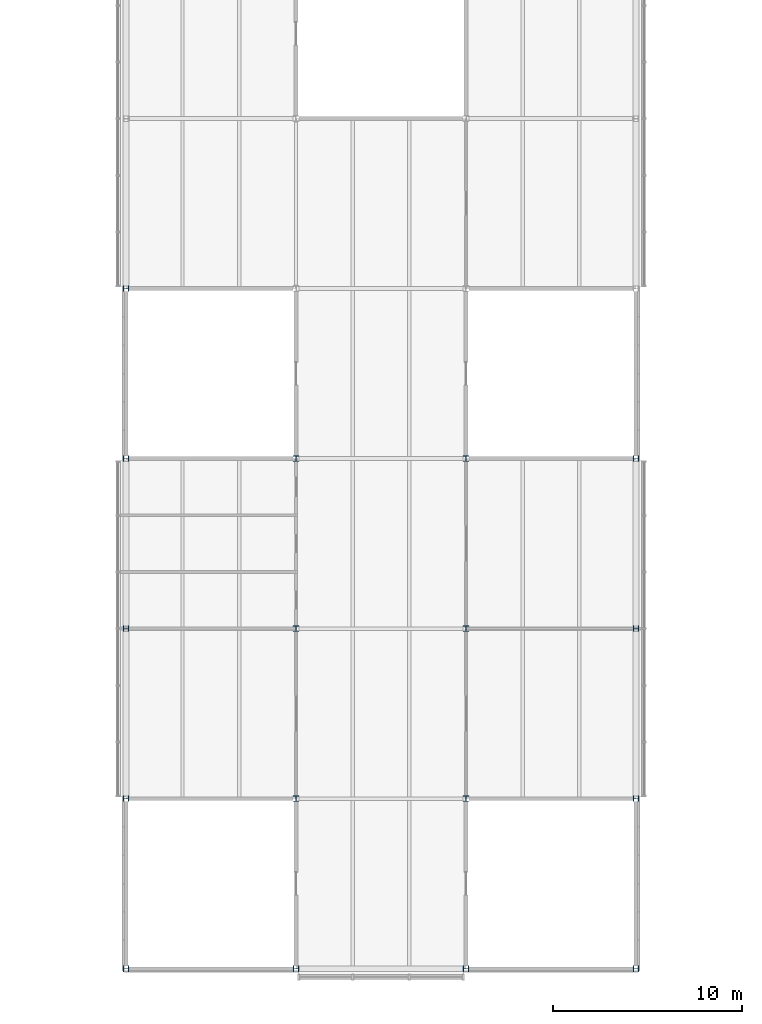
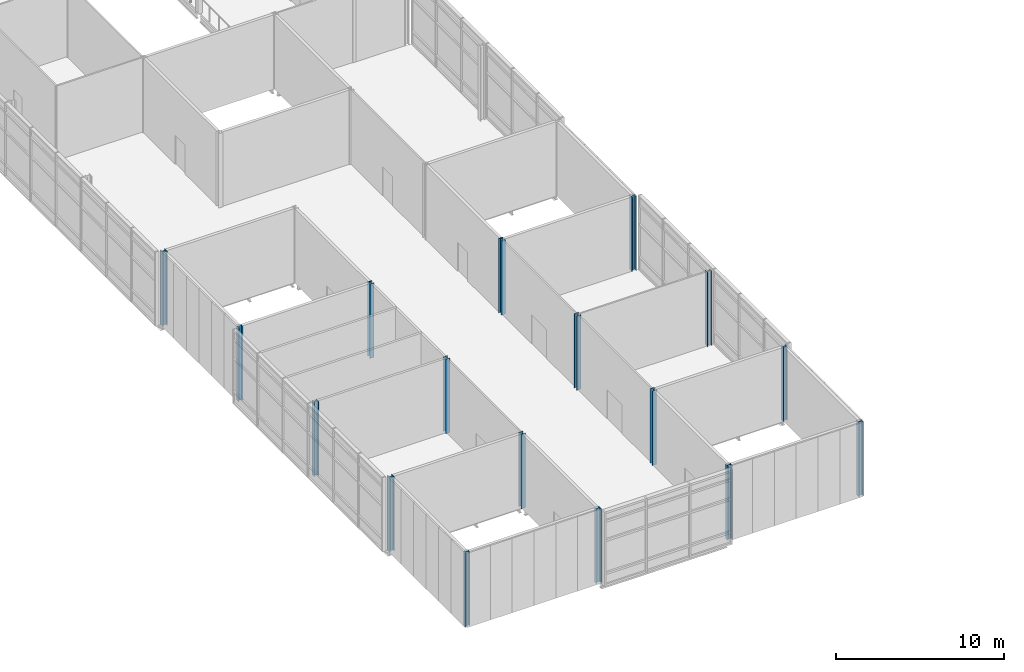
# One storey, part 1 of 46: 17 columns.
"""IFC4 building model written with IfcOpenShell, lengths in metres."""

from ifc_helpers import new_model, si_unit, direction, frame, origin, origin_2d, place, context, subcontext, project, spatial, i_section, extrude, material, material_profile, profile_set, type_object, element, save


model = new_model("IFC4")

# Units and contexts
model_context = context("Model", 3, precision=1e-05, world=origin(), true_north=direction((0.0, 1.0)))
body_context = subcontext(model_context, "Body", "Model", "MODEL_VIEW")
ifc_project = project(units=[si_unit("LENGTHUNIT", "METRE"), si_unit("AREAUNIT", "SQUARE_METRE"), si_unit("VOLUMEUNIT", "CUBIC_METRE"), si_unit("PLANEANGLEUNIT", "RADIAN"), si_unit("MASSUNIT", "GRAM", prefix="KILO")], contexts=[model_context])

# Site, building, storey
site_placement = place(None, origin())
site = spatial("IfcSite", under=ifc_project, at=site_placement, CompositionType="ELEMENT")
building_placement = place(site_placement, origin())
building = spatial("IfcBuilding", under=site, at=building_placement, Name="Azimuth Sports and Learning Centre", CompositionType="ELEMENT")
storey_placement = place(building_placement, frame((0.0, 0.0, 21.60009765625)))
storey = spatial("IfcBuildingStorey", under=building, at=storey_placement, Name="L04", CompositionType="ELEMENT", Elevation=21.60009765625)

# Columns
ifc_material = material(Name="Steel S355", Category="steel")
ifc_material_profile = material_profile(ifc_material, i_section(OverallWidth=0.300048828125, OverallDepth=0.300048828125, WebThickness=0.010986328125, FlangeThickness=0.01904296875, FilletRadius=0.027099609375, at=origin_2d()), Name="HEB 300")
ifc_profile_set = profile_set([ifc_material_profile], Name="Steel S355")
column_type = type_object("IfcColumnType", Name="Column HEB 300", PredefinedType="COLUMN", material=ifc_profile_set)
for number, where, z_axis, x_axis, name in (
    (1, (72.0, 0.0, 0.0), (0.0, 0.0, 1.0), (0.0, 1.0, 0.0), "Column 9A L04"),
    (2, (81.0, 0.0, 0.0), (0.0, 0.0, 1.0), (0.0, 1.0, 0.0), "Column 10A L04"),
    (3, (90.0, 0.0, 0.0), (0.0, 0.0, 1.0), (0.0, 1.0, 0.0), "Column 11A L04"),
    (4, (99.0, 0.0, 0.0), (0.0, 0.0, 1.0), (0.0, 1.0, 0.0), "Column 12A L04"),
    (5, (72.0, 9.0, 0.0), (0.0, 0.0, 1.0), (0.0, 1.0, 0.0), "Column 9B L04"),
    (6, (81.0, 9.0, 0.0), (0.0, 0.0, 1.0), (1.0, 0.0, 0.0), "Column 10B L04"),
    (7, (90.0, 9.0, 0.0), (0.0, 0.0, 1.0), (1.0, 0.0, 0.0), "Column 11B L04"),
    (8, (99.0, 9.0, 0.0), (0.0, 0.0, 1.0), (0.0, 1.0, 0.0), "Column 12B L04"),
    (9, (72.0, 18.0, 0.0), (0.0, 0.0, 1.0), (0.0, 1.0, 0.0), "Column 9C L04"),
    (10, (81.0, 18.0, 0.0), (0.0, 0.0, 1.0), (1.0, 0.0, 0.0), "Column 10C L04"),
    (11, (90.0, 18.0, 0.0), (0.0, 0.0, 1.0), (1.0, 0.0, 0.0), "Column 11C L04"),
    (12, (99.0, 18.0, 0.0), (0.0, 0.0, 1.0), (0.0, 1.0, 0.0), "Column 12C L04"),
    (13, (72.0, 27.0, 0.0), (0.0, 0.0, 1.0), (0.0, 1.0, 0.0), "Column 9D L04"),
    (14, (81.0, 27.0, 0.0), (0.0, 0.0, 1.0), (1.0, 0.0, 0.0), "Column 10D L04"),
    (15, (90.0, 27.0, 0.0), (0.0, 0.0, 1.0), (1.0, 0.0, 0.0), "Column 11D L04"),
    (16, (99.0, 27.0, 0.0), (0.0, 0.0, 1.0), (0.0, 1.0, 0.0), "Column 12D L04"),
    (17, (72.0, 36.0, 0.0), (0.0, 0.0, 1.0), (0.0, 1.0, 0.0), "Column 9E L04"),
):
    element("IfcColumn", number, at=place(storey_placement, frame(where, z_axis=z_axis, x_axis=x_axis)), inside=storey, type_object=column_type, Name=name, PredefinedType="COLUMN", context=body_context, shape_type="SweptSolid", body=[
        extrude(i_section(OverallWidth=0.300048828125, OverallDepth=0.300048828125, WebThickness=0.010986328125, FlangeThickness=0.01904296875, FilletRadius=0.027099609375, at=origin_2d()), origin(), (0.0, 0.0, 1.0), 5.39990234375),
    ])

save(model, "model.ifc")
